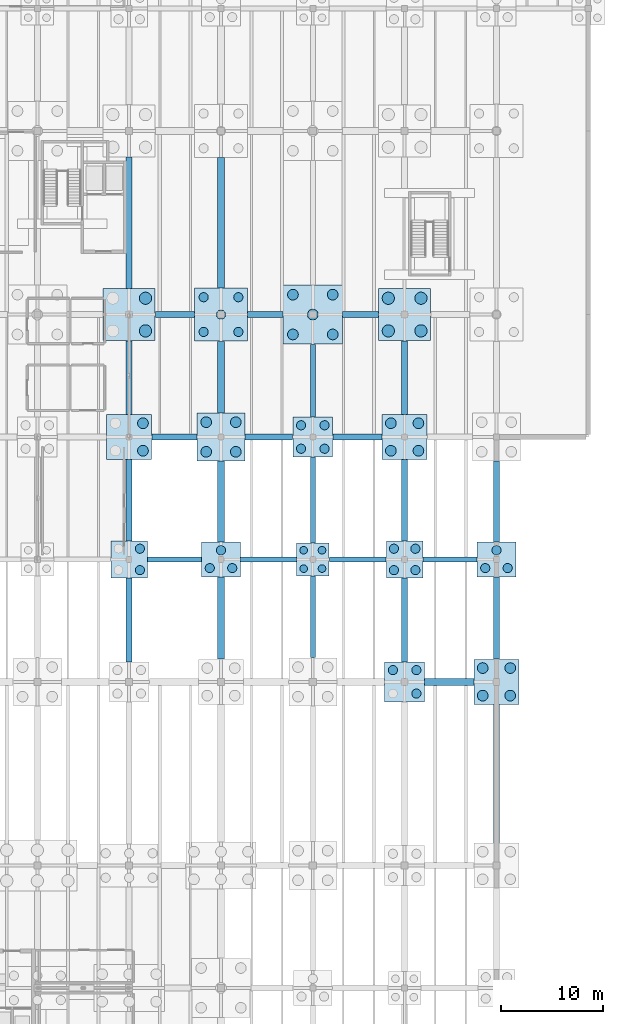
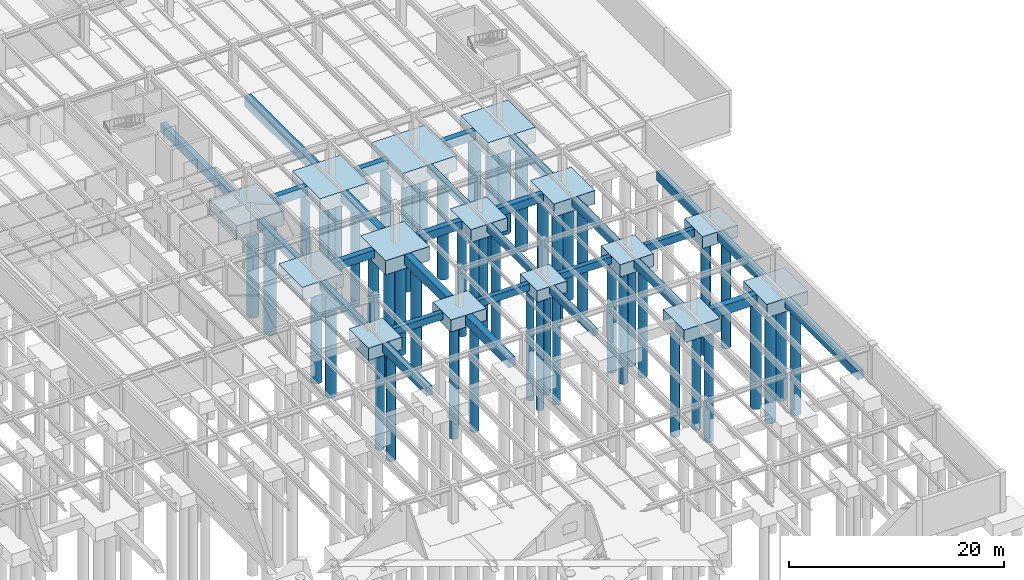
# One storey, part 11 of 40: 53 piles, 43 footings.
"""IFC4 building model written with IfcOpenShell, lengths in metres."""

import ifcopenshell
import ifcopenshell.guid

model = None  # the IFC model being written
_history = None  # IfcOwnerHistory: only IFC2X3 demands one
_inside = {}  # id of a spatial element -> (the spatial element, [elements in it])
_under = {}  # id of a project, library or spatial element -> (it, [spatial elements below it])
_declared = {}  # id of a project -> (the project, [libraries it declares])
_typed = {}  # id of a type object -> (the type object, [elements of that type])
_made_of = {}  # id of a material, layer set ... -> (it, [elements and type objects made of it])


def new_model(schema):
    """Start an empty IFC model of exactly this schema.

    Asked for "IFC4X3", IfcOpenShell would pick the latest addendum, in which some entities
    have other attributes; the version numbers below select the first issue.
    IFC2X3 requires an IfcOwnerHistory on every rooted entity: one is made here for all.
    """
    global model, _history
    if schema == "IFC4X3":
        model = ifcopenshell.file(schema_version=(4, 3, 0, 0))
    else:
        model = ifcopenshell.file(schema=schema)
    _inside.clear()
    _under.clear()
    _declared.clear()
    _typed.clear()
    _made_of.clear()
    _history = None
    if model.schema == "IFC2X3":
        org = make("IfcOrganization", Name="unknown")
        user = make(
            "IfcPersonAndOrganization",
            ThePerson=make("IfcPerson", FamilyName="unknown"),
            TheOrganization=org,
        )
        app = make(
            "IfcApplication",
            ApplicationDeveloper=org,
            Version="unknown",
            ApplicationFullName="unknown",
            ApplicationIdentifier="unknown",
        )
        _history = make(
            "IfcOwnerHistory",
            OwningUser=user,
            OwningApplication=app,
            ChangeAction="ADDED",
            CreationDate=0,
        )
    return model


def make(cls, **values):
    """One entity of the class cls with the attributes given. An attribute that is None is left unset."""
    return model.create_entity(
        cls, **{name: value for name, value in values.items() if value is not None}
    )


def rooted(cls, **values):
    """An entity with a GlobalId (a new one), such as an element, a storey or a relation."""
    return make(cls, GlobalId=ifcopenshell.guid.new(), OwnerHistory=_history, **values)


def si_unit(unit_type, name, prefix=None):
    """IfcSIUnit, for example si_unit("LENGTHUNIT", "METRE", prefix="MILLI")."""
    return make("IfcSIUnit", UnitType=unit_type, Prefix=prefix, Name=name)


def assignment(units):
    """IfcUnitAssignment: the units of a project."""
    return None if units is None else make("IfcUnitAssignment", Units=units)


def point(xyz):
    """IfcCartesianPoint."""
    return None if xyz is None else make("IfcCartesianPoint", Coordinates=xyz)


def direction(xyz):
    """IfcDirection."""
    return None if xyz is None else make("IfcDirection", DirectionRatios=xyz)


def frame(location, z_axis=None, x_axis=None):
    """IfcAxis2Placement3D, a coordinate frame: its origin and axes. An axis left out is left unset."""
    return make(
        "IfcAxis2Placement3D",
        Location=point(location),
        Axis=direction(z_axis),
        RefDirection=direction(x_axis),
    )


def frame_2d(location, x_axis=None):
    """IfcAxis2Placement2D, a coordinate frame in the plane: its origin and x axis."""
    return make(
        "IfcAxis2Placement2D", Location=point(location), RefDirection=direction(x_axis)
    )


def origin():
    """The frame at (0, 0, 0) with its axes left unset."""
    return frame((0.0, 0.0, 0.0))


def origin_2d():
    """The frame at (0, 0) in the plane with its x axis left unset."""
    return frame_2d((0.0, 0.0))


def place(relative_to, where):
    """IfcLocalPlacement: puts the frame where relative to a parent placement (None: the world)."""
    return make(
        "IfcLocalPlacement", PlacementRelTo=relative_to, RelativePlacement=where
    )


def context(
    kind, dimensions, precision=None, world=None, true_north=None, identifier=None
):
    """IfcGeometricRepresentationContext, for example the 3D "Model" context."""
    return make(
        "IfcGeometricRepresentationContext",
        ContextIdentifier=identifier,
        ContextType=kind,
        CoordinateSpaceDimension=dimensions,
        Precision=precision,
        WorldCoordinateSystem=world,
        TrueNorth=true_north,
    )


def subcontext(parent, identifier, kind, view, scale=None):
    """IfcGeometricRepresentationSubContext, for example "Body" below "Model"."""
    return make(
        "IfcGeometricRepresentationSubContext",
        ContextIdentifier=identifier,
        ContextType=kind,
        ParentContext=parent,
        TargetScale=scale,
        TargetView=view,
    )


def project(units=None, contexts=None):
    """IfcProject with its units and contexts."""
    return rooted(
        "IfcProject",
        Name="project",
        RepresentationContexts=contexts,
        UnitsInContext=assignment(units),
    )


def spatial(cls, under=None, at=None, **own):
    """A site, building, storey or space (cls), placed at a placement, below another one or the project."""
    s = rooted(cls, ObjectPlacement=at, **own)
    if under is not None:
        _under.setdefault(under.id(), (under, []))[1].append(s)
    return s


def polyline(points):
    """IfcPolyline through the points."""
    return make("IfcPolyline", Points=[point(p) for p in points])


def profile(cls, at=None, kind="AREA", **sizes):
    """A parametric profile (cls). Its sizes go by their IFC names, for example OverallWidth=200.0."""
    return make(cls, ProfileType=kind, Position=at, **sizes)


def rectangle(**sizes):
    """IfcRectangleProfileDef."""
    return profile("IfcRectangleProfileDef", **sizes)


def circle(**sizes):
    """IfcCircleProfileDef."""
    return profile("IfcCircleProfileDef", **sizes)


def outline(outer, holes=None, kind="AREA"):
    """IfcArbitraryClosedProfileDef: a profile drawn as a closed curve; with holes, ...WithVoids."""
    if holes is None:
        return make("IfcArbitraryClosedProfileDef", ProfileType=kind, OuterCurve=outer)
    return make(
        "IfcArbitraryProfileDefWithVoids",
        ProfileType=kind,
        OuterCurve=outer,
        InnerCurves=holes,
    )


def extrude(swept, where, along, depth):
    """IfcExtrudedAreaSolid: the profile swept, set in the frame where, extruded along a direction by depth."""
    return make(
        "IfcExtrudedAreaSolid",
        SweptArea=swept,
        Position=where,
        ExtrudedDirection=direction(along),
        Depth=depth,
    )


def shape(context_of_items, identifier, shape_type, items):
    """IfcShapeRepresentation: the items that make up one representation, for example the "Body"."""
    return make(
        "IfcShapeRepresentation",
        ContextOfItems=context_of_items,
        RepresentationIdentifier=identifier,
        RepresentationType=shape_type,
        Items=items,
    )


def material(Name=None, Category=None):
    """IfcMaterial."""
    return make("IfcMaterial", Name=Name, Category=Category)


def material_profile(
    of_material, cross_section, Name=None, Category=None, Priority=None
):
    """IfcMaterialProfile: a cross section and its material."""
    return make(
        "IfcMaterialProfile",
        Name=Name,
        Material=of_material,
        Profile=cross_section,
        Priority=Priority,
        Category=Category,
    )


def profile_set(profiles, Name=None, composite=None):
    """IfcMaterialProfileSet."""
    return make(
        "IfcMaterialProfileSet",
        Name=Name,
        MaterialProfiles=profiles,
        CompositeProfile=composite,
    )


def made_of(thing, what):
    """Note that an element or type object is made of a material, layer set ...; save() writes the relation."""
    if what is not None:
        _made_of.setdefault(what.id(), (what, []))[1].append(thing)
    return thing


def type_object(cls, material=None, **own):
    """A type object (cls), such as IfcWallType, which elements share."""
    return made_of(rooted(cls, **own), material)


def element(
    cls,
    number,
    at=None,
    inside=None,
    cuts=None,
    type_object=None,
    material=None,
    context=None,
    identifier="Body",
    shape_type=None,
    held_by="IfcProductDefinitionShape",
    body=None,
    shapes=None,
    **own,
):
    """One element of the class cls, such as IfcWall. Its Tag is "e" and its number.

    at: its placement. inside: the storey or other place that contains it. cuts: it is an
    opening in that element (IfcRelVoidsElement). A single representation is given by context,
    identifier, shape_type and body (its items); several are given by shapes. held_by: the class
    of the entity that holds the representations. save() writes the other relations.
    """
    e = rooted(cls, Tag="e%d" % number, ObjectPlacement=at, **own)
    if body is not None:
        shapes = [shape(context, identifier, shape_type, body)]
    if shapes is not None:
        e.Representation = make(held_by, Representations=shapes)
    if inside is not None:
        _inside.setdefault(inside.id(), (inside, []))[1].append(e)
    if cuts is not None:
        rooted(
            "IfcRelVoidsElement", RelatingBuildingElement=cuts, RelatedOpeningElement=e
        )
    if type_object is not None:
        _typed.setdefault(type_object.id(), (type_object, []))[1].append(e)
    return made_of(e, material)


def aggregate(whole, parts):
    """IfcRelAggregates: a whole, such as a stair, and the parts it consists of."""
    return rooted("IfcRelAggregates", RelatingObject=whole, RelatedObjects=parts)


def save(model, path):
    """Write the relations noted so far, then the file.

    IfcRelAggregates (storeys below a building ...), IfcRelContainedInSpatialStructure (elements
    in a storey), IfcRelDefinesByType, IfcRelAssociatesMaterial and IfcRelDeclares: one each for
    every whole, place, type object, material and project.
    """
    for whole, parts in _under.values():
        aggregate(whole, parts)
    for where, things in _inside.values():
        rooted(
            "IfcRelContainedInSpatialStructure",
            RelatedElements=things,
            RelatingStructure=where,
        )
    for kind, things in _typed.values():
        rooted("IfcRelDefinesByType", RelatedObjects=things, RelatingType=kind)
    for what, things in _made_of.values():
        rooted("IfcRelAssociatesMaterial", RelatedObjects=things, RelatingMaterial=what)
    for by, libraries in _declared.values():
        rooted("IfcRelDeclares", RelatingContext=by, RelatedDefinitions=libraries)
    model.write(path)


model = new_model("IFC4")

# Units and contexts
model_context = context("Model", 3, precision=1e-05, world=origin(), true_north=direction((0.0, 1.0)))
body_context = subcontext(model_context, "Body", "Model", "MODEL_VIEW")
ifc_project = project(units=[si_unit("LENGTHUNIT", "METRE"), si_unit("AREAUNIT", "SQUARE_METRE"), si_unit("VOLUMEUNIT", "CUBIC_METRE"), si_unit("PLANEANGLEUNIT", "RADIAN"), si_unit("MASSUNIT", "GRAM", prefix="KILO")], contexts=[model_context])

# Site, building, storey
site_placement = place(None, origin())
site = spatial("IfcSite", under=ifc_project, at=site_placement, CompositionType="ELEMENT")
building_placement = place(site_placement, origin())
building = spatial("IfcBuilding", under=site, at=building_placement, Name="Montelvaro Courts of Justice", CompositionType="ELEMENT")
storey_placement = place(building_placement, frame((0.0, 0.0, -4.5)))
storey = spatial("IfcBuildingStorey", under=building, at=storey_placement, Name="B01", CompositionType="ELEMENT", Elevation=-4.5)

# Piles
ifc_material = material(Name="Concrete C35/45", Category="concrete")
ifc_material_profile_1 = material_profile(ifc_material, circle(Radius=0.52490234375, at=origin_2d()), Name="BORED PILE D1050")
ifc_profile_set_1 = profile_set([ifc_material_profile_1], Name="Concrete C35/45")
pile_type_1 = type_object("IfcPileType", Name="BoredPile_1050", PredefinedType="BORED", material=ifc_profile_set_1)
for number, where, z_axis, x_axis, name in (
    (1, (127.35009765625, 64.64990234375, -1.39990234375), (0.0, 0.0, -1.0), (1.0, 0.0, 0.0), "Bored Pile BP-03 15/F-2"),
    (2, (127.35009765625, 67.35009765625, -1.39990234375), (0.0, 0.0, -1.0), (1.0, 0.0, 0.0), "Bored Pile BP-03 15/F-4"),
):
    element("IfcPile", number, at=place(storey_placement, frame(where, z_axis=z_axis, x_axis=x_axis)), inside=storey, type_object=pile_type_1, Name=name, PredefinedType="BORED", context=body_context, shape_type="SweptSolid", body=[
        extrude(circle(Radius=0.52490234375, at=origin_2d()), origin(), (0.0, 0.0, 1.0), 12.60009765625),
    ])
for number, where, z_axis, x_axis, name in (
    (3, (133.550048828125, 64.550048828125, -1.5), (0.0, 0.0, -1.0), (1.0, 0.0, 0.0), "Bored Pile BP-03 16/F-1"),
    (4, (136.449951171875, 64.550048828125, -1.5), (0.0, 0.0, -1.0), (1.0, 0.0, 0.0), "Bored Pile BP-03 16/F-2"),
    (5, (133.550048828125, 67.449951171875, -1.5), (0.0, 0.0, -1.0), (1.0, 0.0, 0.0), "Bored Pile BP-03 16/F-3"),
    (6, (136.449951171875, 67.449951171875, -1.5), (0.0, 0.0, -1.0), (1.0, 0.0, 0.0), "Bored Pile BP-03 16/F-4"),
):
    element("IfcPile", number, at=place(storey_placement, frame(where, z_axis=z_axis, x_axis=x_axis)), inside=storey, type_object=pile_type_1, Name=name, PredefinedType="BORED", context=body_context, shape_type="SweptSolid", body=[
        extrude(circle(Radius=0.52490234375, at=origin_2d()), origin(), (0.0, 0.0, 1.0), 12.5),
    ])
for number, where, z_axis, x_axis, name in (
    (7, (142.050048828125, 76.050048828125, -1.60009765625), (0.0, 0.0, -1.0), (1.0, 0.0, 0.0), "Bored Pile BP-03 17/G-1"),
    (8, (145.949951171875, 76.050048828125, -1.60009765625), (0.0, 0.0, -1.0), (1.0, 0.0, 0.0), "Bored Pile BP-03 17/G-2"),
    (9, (144.0, 78.0, -1.60009765625), (0.0, 0.0, -1.0), (1.0, 0.0, 0.0), "Bored Pile BP-03 17/G-3"),
    (10, (142.050048828125, 79.949951171875, -1.60009765625), (0.0, 0.0, -1.0), (1.0, 0.0, 0.0), "Bored Pile BP-03 17/G-4"),
    (11, (145.949951171875, 79.949951171875, -1.60009765625), (0.0, 0.0, -1.0), (1.0, 0.0, 0.0), "Bored Pile BP-03 17/G-5"),
):
    element("IfcPile", number, at=place(storey_placement, frame(where, z_axis=z_axis, x_axis=x_axis)), inside=storey, type_object=pile_type_1, Name=name, PredefinedType="BORED", context=body_context, shape_type="SweptSolid", body=[
        extrude(circle(Radius=0.52490234375, at=origin_2d()), origin(), (0.0, 0.0, 1.0), 12.39990234375),
    ])
for number, where, z_axis, x_axis, name in (
    (12, (151.64990234375, 64.64990234375, -1.39990234375), (0.0, 0.0, -1.0), (1.0, 0.0, 0.0), "Bored Pile BP-03 18/F-1"),
    (13, (154.35009765625, 64.64990234375, -1.39990234375), (0.0, 0.0, -1.0), (1.0, 0.0, 0.0), "Bored Pile BP-03 18/F-2"),
    (14, (151.64990234375, 67.35009765625, -1.39990234375), (0.0, 0.0, -1.0), (1.0, 0.0, 0.0), "Bored Pile BP-03 18/F-3"),
    (15, (154.35009765625, 67.35009765625, -1.39990234375), (0.0, 0.0, -1.0), (1.0, 0.0, 0.0), "Bored Pile BP-03 18/F-4"),
    (16, (160.64990234375, 40.64990234375, -1.39990234375), (0.0, 0.0, -1.0), (1.0, 0.0, 0.0), "Bored Pile BP-03 19/D-1"),
    (17, (163.35009765625, 40.64990234375, -1.39990234375), (0.0, 0.0, -1.0), (1.0, 0.0, 0.0), "Bored Pile BP-03 19/D-2"),
    (18, (160.64990234375, 43.35009765625, -1.39990234375), (0.0, 0.0, -1.0), (1.0, 0.0, 0.0), "Bored Pile BP-03 19/D-3"),
    (19, (163.35009765625, 43.35009765625, -1.39990234375), (0.0, 0.0, -1.0), (1.0, 0.0, 0.0), "Bored Pile BP-03 19/D-4"),
):
    element("IfcPile", number, at=place(storey_placement, frame(where, z_axis=z_axis, x_axis=x_axis)), inside=storey, type_object=pile_type_1, Name=name, PredefinedType="BORED", context=body_context, shape_type="SweptSolid", body=[
        extrude(circle(Radius=0.52490234375, at=origin_2d()), origin(), (0.0, 0.0, 1.0), 12.60009765625),
    ])
ifc_material_profile_2 = material_profile(ifc_material, circle(Radius=0.60009765625, at=origin_2d()), Name="BORED PILE D1200")
ifc_profile_set_2 = profile_set([ifc_material_profile_2], Name="Concrete C35/45")
pile_type_2 = type_object("IfcPileType", Name="BoredPile_1200", PredefinedType="BORED", material=ifc_profile_set_2)
for number, where, z_axis, x_axis, name in (
    (20, (127.60009765625, 76.39990234375, -1.550048828125), (0.0, 0.0, -1.0), (1.0, 0.0, 0.0), "Bored Pile BP-04 15/G-2"),
    (21, (127.60009765625, 79.60009765625, -1.550048828125), (0.0, 0.0, -1.0), (1.0, 0.0, 0.0), "Bored Pile BP-04 15/G-4"),
    (22, (151.39990234375, 76.39990234375, -1.550048828125), (0.0, 0.0, -1.0), (1.0, 0.0, 0.0), "Bored Pile BP-04 18/G-1"),
    (23, (154.60009765625, 76.39990234375, -1.550048828125), (0.0, 0.0, -1.0), (1.0, 0.0, 0.0), "Bored Pile BP-04 18/G-2"),
    (24, (151.39990234375, 79.60009765625, -1.550048828125), (0.0, 0.0, -1.0), (1.0, 0.0, 0.0), "Bored Pile BP-04 18/G-3"),
    (25, (154.60009765625, 79.60009765625, -1.550048828125), (0.0, 0.0, -1.0), (1.0, 0.0, 0.0), "Bored Pile BP-04 18/G-4"),
):
    element("IfcPile", number, at=place(storey_placement, frame(where, z_axis=z_axis, x_axis=x_axis)), inside=storey, type_object=pile_type_2, Name=name, PredefinedType="BORED", context=body_context, shape_type="SweptSolid", body=[
        extrude(circle(Radius=0.60009765625, at=origin_2d()), origin(), (0.0, 0.0, 1.0), 12.449951171875),
    ])
ifc_material_profile_3 = material_profile(ifc_material, circle(Radius=0.375, at=origin_2d()), Name="BORED PILE D750")
ifc_profile_set_3 = profile_set([ifc_material_profile_3], Name="Concrete C35/45")
pile_type_3 = type_object("IfcPileType", Name="BoredPile_750", PredefinedType="BORED", material=ifc_profile_set_3)
for number, where, z_axis, x_axis, name in (
    (26, (143.10009765625, 53.10009765625, -1.199951171875), (0.0, 0.0, -1.0), (1.0, 0.0, 0.0), "Bored Pile BP-01 17/E-1"),
    (27, (144.89990234375, 53.10009765625, -1.199951171875), (0.0, 0.0, -1.0), (1.0, 0.0, 0.0), "Bored Pile BP-01 17/E-2"),
    (28, (143.10009765625, 54.89990234375, -1.199951171875), (0.0, 0.0, -1.0), (1.0, 0.0, 0.0), "Bored Pile BP-01 17/E-3"),
    (29, (144.89990234375, 54.89990234375, -1.199951171875), (0.0, 0.0, -1.0), (1.0, 0.0, 0.0), "Bored Pile BP-01 17/E-4"),
):
    element("IfcPile", number, at=place(storey_placement, frame(where, z_axis=z_axis, x_axis=x_axis)), inside=storey, type_object=pile_type_3, Name=name, PredefinedType="BORED", context=body_context, shape_type="SweptSolid", body=[
        extrude(circle(Radius=0.375, at=origin_2d()), origin(), (0.0, 0.0, 1.0), 12.800048828125),
    ])
ifc_material_profile_4 = material_profile(ifc_material, circle(Radius=0.449951171875, at=origin_2d()), Name="BORED PILE D900")
ifc_profile_set_4 = profile_set([ifc_material_profile_4], Name="Concrete C35/45")
pile_type_4 = type_object("IfcPileType", Name="BoredPile_900", PredefinedType="BORED", material=ifc_profile_set_4)
for number, where, z_axis, x_axis, name in (
    (30, (127.050048828125, 52.949951171875, -1.300048828125), (0.0, 0.0, -1.0), (1.0, 0.0, 0.0), "Bored Pile BP-02 15/E-2"),
    (31, (127.050048828125, 55.050048828125, -1.300048828125), (0.0, 0.0, -1.0), (1.0, 0.0, 0.0), "Bored Pile BP-02 15/E-4"),
):
    element("IfcPile", number, at=place(storey_placement, frame(where, z_axis=z_axis, x_axis=x_axis)), inside=storey, type_object=pile_type_4, Name=name, PredefinedType="BORED", context=body_context, shape_type="SweptSolid", body=[
        extrude(circle(Radius=0.449951171875, at=origin_2d()), origin(), (0.0, 0.0, 1.0), 12.699951171875),
    ])
for number, where, z_axis, x_axis, name in (
    (32, (133.89990234375, 53.14990234375, -1.25), (0.0, 0.0, -1.0), (1.0, 0.0, 0.0), "Bored Pile BP-02 16/E-1"),
    (33, (136.10009765625, 53.14990234375, -1.25), (0.0, 0.0, -1.0), (1.0, 0.0, 0.0), "Bored Pile BP-02 16/E-2"),
    (34, (135.0, 54.89990234375, -1.25), (0.0, 0.0, -1.0), (1.0, 0.0, 0.0), "Bored Pile BP-02 16/E-3"),
):
    element("IfcPile", number, at=place(storey_placement, frame(where, z_axis=z_axis, x_axis=x_axis)), inside=storey, type_object=pile_type_4, Name=name, PredefinedType="BORED", context=body_context, shape_type="SweptSolid", body=[
        extrude(circle(Radius=0.449951171875, at=origin_2d()), origin(), (0.0, 0.0, 1.0), 12.75),
    ])
for number, where, z_axis, x_axis, name in (
    (35, (133.300048828125, 76.300048828125, -1.5), (0.0, 0.0, -1.0), (1.0, 0.0, 0.0), "Bored Pile BP-02 16/G-1"),
    (36, (136.699951171875, 76.300048828125, -1.5), (0.0, 0.0, -1.0), (1.0, 0.0, 0.0), "Bored Pile BP-02 16/G-2"),
    (37, (135.0, 78.0, -1.5), (0.0, 0.0, -1.0), (1.0, 0.0, 0.0), "Bored Pile BP-02 16/G-3"),
    (38, (133.300048828125, 79.699951171875, -1.5), (0.0, 0.0, -1.0), (1.0, 0.0, 0.0), "Bored Pile BP-02 16/G-4"),
    (39, (136.699951171875, 79.699951171875, -1.5), (0.0, 0.0, -1.0), (1.0, 0.0, 0.0), "Bored Pile BP-02 16/G-5"),
):
    element("IfcPile", number, at=place(storey_placement, frame(where, z_axis=z_axis, x_axis=x_axis)), inside=storey, type_object=pile_type_4, Name=name, PredefinedType="BORED", context=body_context, shape_type="SweptSolid", body=[
        extrude(circle(Radius=0.449951171875, at=origin_2d()), origin(), (0.0, 0.0, 1.0), 12.5),
    ])
for number, where, z_axis, x_axis, name in (
    (40, (142.85009765625, 64.85009765625, -1.35009765625), (0.0, 0.0, -1.0), (1.0, 0.0, 0.0), "Bored Pile BP-02 17/F-1"),
    (41, (145.14990234375, 64.85009765625, -1.35009765625), (0.0, 0.0, -1.0), (1.0, 0.0, 0.0), "Bored Pile BP-02 17/F-2"),
    (42, (142.85009765625, 67.14990234375, -1.35009765625), (0.0, 0.0, -1.0), (1.0, 0.0, 0.0), "Bored Pile BP-02 17/F-3"),
    (43, (145.14990234375, 67.14990234375, -1.35009765625), (0.0, 0.0, -1.0), (1.0, 0.0, 0.0), "Bored Pile BP-02 17/F-4"),
    (44, (154.14990234375, 40.85009765625, -1.35009765625), (0.0, 0.0, -1.0), (1.0, 0.0, 0.0), "Bored Pile BP-02 18/D-2"),
    (45, (151.85009765625, 43.14990234375, -1.35009765625), (0.0, 0.0, -1.0), (1.0, 0.0, 0.0), "Bored Pile BP-02 18/D-3"),
    (46, (154.14990234375, 43.14990234375, -1.35009765625), (0.0, 0.0, -1.0), (1.0, 0.0, 0.0), "Bored Pile BP-02 18/D-4"),
):
    element("IfcPile", number, at=place(storey_placement, frame(where, z_axis=z_axis, x_axis=x_axis)), inside=storey, type_object=pile_type_4, Name=name, PredefinedType="BORED", context=body_context, shape_type="SweptSolid", body=[
        extrude(circle(Radius=0.449951171875, at=origin_2d()), origin(), (0.0, 0.0, 1.0), 12.64990234375),
    ])
for number, where, z_axis, x_axis, name in (
    (47, (151.949951171875, 52.949951171875, -1.300048828125), (0.0, 0.0, -1.0), (1.0, 0.0, 0.0), "Bored Pile BP-02 18/E-1"),
    (48, (154.050048828125, 52.949951171875, -1.300048828125), (0.0, 0.0, -1.0), (1.0, 0.0, 0.0), "Bored Pile BP-02 18/E-2"),
    (49, (151.949951171875, 55.050048828125, -1.300048828125), (0.0, 0.0, -1.0), (1.0, 0.0, 0.0), "Bored Pile BP-02 18/E-3"),
    (50, (154.050048828125, 55.050048828125, -1.300048828125), (0.0, 0.0, -1.0), (1.0, 0.0, 0.0), "Bored Pile BP-02 18/E-4"),
):
    element("IfcPile", number, at=place(storey_placement, frame(where, z_axis=z_axis, x_axis=x_axis)), inside=storey, type_object=pile_type_4, Name=name, PredefinedType="BORED", context=body_context, shape_type="SweptSolid", body=[
        extrude(circle(Radius=0.449951171875, at=origin_2d()), origin(), (0.0, 0.0, 1.0), 12.699951171875),
    ])
for number, where, z_axis, x_axis, name in (
    (51, (160.89990234375, 53.14990234375, -1.25), (0.0, 0.0, -1.0), (1.0, 0.0, 0.0), "Bored Pile BP-02 19/E-1"),
    (52, (163.10009765625, 53.14990234375, -1.25), (0.0, 0.0, -1.0), (1.0, 0.0, 0.0), "Bored Pile BP-02 19/E-2"),
    (53, (162.0, 54.89990234375, -1.25), (0.0, 0.0, -1.0), (1.0, 0.0, 0.0), "Bored Pile BP-02 19/E-3"),
):
    element("IfcPile", number, at=place(storey_placement, frame(where, z_axis=z_axis, x_axis=x_axis)), inside=storey, type_object=pile_type_4, Name=name, PredefinedType="BORED", context=body_context, shape_type="SweptSolid", body=[
        extrude(circle(Radius=0.449951171875, at=origin_2d()), origin(), (0.0, 0.0, 1.0), 12.75),
    ])

# Footings
footing_type_1 = type_object("IfcFootingType", Name="GroundBeam_500x800", PredefinedType="FOOTING_BEAM", material=ifc_material)
footing_1_placement = place(storey_placement, frame((0.0, 0.0, -0.800048828125)))
element("IfcFooting", 54, at=footing_1_placement, inside=storey, type_object=footing_type_1, Name="Foundation Ground Beam GB-01", PredefinedType="FOOTING_BEAM", context=body_context, shape_type="SweptSolid", body=[
    extrude(outline(polyline([(127.820068359375, 53.75), (133.080078125, 53.75), (133.080078125, 54.25), (127.820068359375, 54.25), (127.820068359375, 53.75)])), origin(), (0.0, 0.0, 1.0), 0.800048828125),
])
footing_2_placement = place(storey_placement, frame((0.0, 0.0, -0.800048828125)))
element("IfcFooting", 55, at=footing_2_placement, inside=storey, type_object=footing_type_1, Name="Foundation Ground Beam GB-01", PredefinedType="FOOTING_BEAM", context=body_context, shape_type="SweptSolid", body=[
    extrude(outline(polyline([(136.919921875, 53.75), (142.3798828125, 53.75), (142.3798828125, 54.25), (136.919921875, 54.25), (136.919921875, 53.75)])), origin(), (0.0, 0.0, 1.0), 0.800048828125),
])
footing_3_placement = place(storey_placement, frame((0.0, 0.0, -0.800048828125)))
element("IfcFooting", 56, at=footing_3_placement, inside=storey, type_object=footing_type_1, Name="Foundation Ground Beam GB-01", PredefinedType="FOOTING_BEAM", context=body_context, shape_type="SweptSolid", body=[
    extrude(outline(polyline([(145.6201171875, 53.75), (151.179931640625, 53.75), (151.179931640625, 54.25), (145.6201171875, 54.25), (145.6201171875, 53.75)])), origin(), (0.0, 0.0, 1.0), 0.800048828125),
])
footing_4_placement = place(storey_placement, frame((0.0, 0.0, -0.800048828125)))
element("IfcFooting", 57, at=footing_4_placement, inside=storey, type_object=footing_type_1, Name="Foundation Ground Beam GB-01", PredefinedType="FOOTING_BEAM", context=body_context, shape_type="SweptSolid", body=[
    extrude(outline(polyline([(154.820068359375, 53.75), (160.080078125, 53.75), (160.080078125, 54.25), (154.820068359375, 54.25), (154.820068359375, 53.75)])), origin(), (0.0, 0.0, 1.0), 0.800048828125),
])
footing_5_placement = place(storey_placement, frame((0.0, 0.0, -0.800048828125)))
element("IfcFooting", 58, at=footing_5_placement, inside=storey, type_object=footing_type_1, Name="Foundation Ground Beam GB-01", PredefinedType="FOOTING_BEAM", context=body_context, shape_type="SweptSolid", body=[
    extrude(outline(polyline([(143.75, 44.3701171875), (144.25, 44.3701171875), (144.25, 52.3798828125), (143.75, 52.3798828125), (143.75, 44.3701171875)])), origin(), (0.0, 0.0, 1.0), 0.800048828125),
])
footing_6_placement = place(storey_placement, frame((0.0, 0.0, -0.800048828125)))
element("IfcFooting", 59, at=footing_6_placement, inside=storey, type_object=footing_type_1, Name="Foundation Ground Beam GB-01", PredefinedType="FOOTING_BEAM", context=body_context, shape_type="SweptSolid", body=[
    extrude(outline(polyline([(143.75, 55.6201171875), (144.25, 55.6201171875), (144.25, 64.030029296875), (143.75, 64.030029296875), (143.75, 55.6201171875)])), origin(), (0.0, 0.0, 1.0), 0.800048828125),
])
footing_7_placement = place(storey_placement, frame((0.0, 0.0, -0.800048828125)))
element("IfcFooting", 60, at=footing_7_placement, inside=storey, type_object=footing_type_1, Name="Foundation Ground Beam GB-01", PredefinedType="FOOTING_BEAM", context=body_context, shape_type="SweptSolid", body=[
    extrude(outline(polyline([(143.75, 67.969970703125), (144.25, 67.969970703125), (144.25, 75.080078125), (143.75, 75.080078125), (143.75, 67.969970703125)])), origin(), (0.0, 0.0, 1.0), 0.800048828125),
])
footing_type_2 = type_object("IfcFootingType", Name="GroundBeam_600x1000", PredefinedType="FOOTING_BEAM", material=ifc_material)
footing_8_placement = place(storey_placement, frame((0.0, 0.0, -1.0)))
element("IfcFooting", 61, at=footing_8_placement, inside=storey, type_object=footing_type_2, Name="Foundation Ground Beam GB-03", PredefinedType="FOOTING_BEAM", context=body_context, shape_type="SweptSolid", body=[
    extrude(outline(polyline([(128.570068359375, 77.699951171875), (132.3798828125, 77.699951171875), (132.3798828125, 78.300048828125), (128.570068359375, 78.300048828125), (128.570068359375, 77.699951171875)])), origin(), (0.0, 0.0, 1.0), 1.0),
])
footing_9_placement = place(storey_placement, frame((0.0, 0.0, -1.0)))
element("IfcFooting", 62, at=footing_9_placement, inside=storey, type_object=footing_type_2, Name="Foundation Ground Beam GB-03", PredefinedType="FOOTING_BEAM", context=body_context, shape_type="SweptSolid", body=[
    extrude(outline(polyline([(137.6201171875, 77.699951171875), (141.080078125, 77.699951171875), (141.080078125, 78.300048828125), (137.6201171875, 78.300048828125), (137.6201171875, 77.699951171875)])), origin(), (0.0, 0.0, 1.0), 1.0),
])
footing_10_placement = place(storey_placement, frame((0.0, 0.0, -1.0)))
element("IfcFooting", 63, at=footing_10_placement, inside=storey, type_object=footing_type_2, Name="Foundation Ground Beam GB-03", PredefinedType="FOOTING_BEAM", context=body_context, shape_type="SweptSolid", body=[
    extrude(outline(polyline([(146.919921875, 77.699951171875), (150.429931640625, 77.699951171875), (150.429931640625, 78.300048828125), (146.919921875, 78.300048828125), (146.919921875, 77.699951171875)])), origin(), (0.0, 0.0, 1.0), 1.0),
])
footing_11_placement = place(storey_placement, frame((0.0, 0.0, -1.0)))
element("IfcFooting", 64, at=footing_11_placement, inside=storey, type_object=footing_type_2, Name="Foundation Ground Beam GB-03", PredefinedType="FOOTING_BEAM", context=body_context, shape_type="SweptSolid", body=[
    extrude(outline(polyline([(125.699951171875, 43.969970703125), (126.300048828125, 43.969970703125), (126.300048828125, 52.179931640625), (125.699951171875, 52.179931640625), (125.699951171875, 43.969970703125)])), origin(), (0.0, 0.0, 1.0), 1.0),
])
footing_12_placement = place(storey_placement, frame((0.0, 0.0, -1.0)))
element("IfcFooting", 65, at=footing_12_placement, inside=storey, type_object=footing_type_2, Name="Foundation Ground Beam GB-03", PredefinedType="FOOTING_BEAM", context=body_context, shape_type="SweptSolid", body=[
    extrude(outline(polyline([(125.699951171875, 55.820068359375), (126.300048828125, 55.820068359375), (126.300048828125, 63.780029296875), (125.699951171875, 63.780029296875), (125.699951171875, 55.820068359375)])), origin(), (0.0, 0.0, 1.0), 1.0),
])
footing_13_placement = place(storey_placement, frame((0.0, 0.0, -1.0)))
element("IfcFooting", 66, at=footing_13_placement, inside=storey, type_object=footing_type_2, Name="Foundation Ground Beam GB-03", PredefinedType="FOOTING_BEAM", context=body_context, shape_type="SweptSolid", body=[
    extrude(outline(polyline([(125.699951171875, 68.219970703125), (126.300048828125, 68.219970703125), (126.300048828125, 75.429931640625), (125.699951171875, 75.429931640625), (125.699951171875, 68.219970703125)])), origin(), (0.0, 0.0, 1.0), 1.0),
])
footing_14_placement = place(storey_placement, frame((0.0, 0.0, -1.0)))
element("IfcFooting", 67, at=footing_14_placement, inside=storey, type_object=footing_type_2, Name="Foundation Ground Beam GB-03", PredefinedType="FOOTING_BEAM", context=body_context, shape_type="SweptSolid", body=[
    extrude(outline(polyline([(125.699951171875, 80.570068359375), (126.300048828125, 80.570068359375), (126.300048828125, 93.429931640625), (125.699951171875, 93.429931640625), (125.699951171875, 80.570068359375)])), origin(), (0.0, 0.0, 1.0), 1.0),
])
footing_15_placement = place(storey_placement, frame((0.0, 0.0, -1.0)))
element("IfcFooting", 68, at=footing_15_placement, inside=storey, type_object=footing_type_2, Name="Foundation Ground Beam GB-03", PredefinedType="FOOTING_BEAM", context=body_context, shape_type="SweptSolid", body=[
    extrude(outline(polyline([(161.699951171875, 26.219970703125), (162.300048828125, 26.219970703125), (162.300048828125, 39.780029296875), (161.699951171875, 39.780029296875), (161.699951171875, 26.219970703125)])), origin(), (0.0, 0.0, 1.0), 1.0),
])
footing_16_placement = place(storey_placement, frame((0.0, 0.0, -1.0)))
element("IfcFooting", 69, at=footing_16_placement, inside=storey, type_object=footing_type_2, Name="Foundation Ground Beam GB-03", PredefinedType="FOOTING_BEAM", context=body_context, shape_type="SweptSolid", body=[
    extrude(outline(polyline([(161.699951171875, 44.219970703125), (162.300048828125, 44.219970703125), (162.300048828125, 52.280029296875), (161.699951171875, 52.280029296875), (161.699951171875, 44.219970703125)])), origin(), (0.0, 0.0, 1.0), 1.0),
])
footing_17_placement = place(storey_placement, frame((0.0, 0.0, -1.0)))
element("IfcFooting", 70, at=footing_17_placement, inside=storey, type_object=footing_type_2, Name="Foundation Ground Beam GB-03", PredefinedType="FOOTING_BEAM", context=body_context, shape_type="SweptSolid", body=[
    extrude(outline(polyline([(161.699951171875, 55.719970703125), (162.300048828125, 55.719970703125), (162.300048828125, 63.6298828125), (161.699951171875, 63.6298828125), (161.699951171875, 55.719970703125)])), origin(), (0.0, 0.0, 1.0), 1.0),
])
footing_type_3 = type_object("IfcFootingType", Name="GroundBeam_600x900", PredefinedType="FOOTING_BEAM", material=ifc_material)
footing_18_placement = place(storey_placement, frame((0.0, 0.0, -0.89990234375)))
element("IfcFooting", 71, at=footing_18_placement, inside=storey, type_object=footing_type_3, Name="Foundation Ground Beam GB-02", PredefinedType="FOOTING_BEAM", context=body_context, shape_type="SweptSolid", body=[
    extrude(outline(polyline([(128.219970703125, 65.699951171875), (132.6298828125, 65.699951171875), (132.6298828125, 66.300048828125), (128.219970703125, 66.300048828125), (128.219970703125, 65.699951171875)])), origin(), (0.0, 0.0, 1.0), 0.89990234375),
])
footing_19_placement = place(storey_placement, frame((0.0, 0.0, -0.89990234375)))
element("IfcFooting", 72, at=footing_19_placement, inside=storey, type_object=footing_type_3, Name="Foundation Ground Beam GB-02", PredefinedType="FOOTING_BEAM", context=body_context, shape_type="SweptSolid", body=[
    extrude(outline(polyline([(137.3701171875, 65.699951171875), (142.030029296875, 65.699951171875), (142.030029296875, 66.300048828125), (137.3701171875, 66.300048828125), (137.3701171875, 65.699951171875)])), origin(), (0.0, 0.0, 1.0), 0.89990234375),
])
footing_20_placement = place(storey_placement, frame((0.0, 0.0, -0.89990234375)))
element("IfcFooting", 73, at=footing_20_placement, inside=storey, type_object=footing_type_3, Name="Foundation Ground Beam GB-02", PredefinedType="FOOTING_BEAM", context=body_context, shape_type="SweptSolid", body=[
    extrude(outline(polyline([(145.969970703125, 65.699951171875), (150.780029296875, 65.699951171875), (150.780029296875, 66.300048828125), (145.969970703125, 66.300048828125), (145.969970703125, 65.699951171875)])), origin(), (0.0, 0.0, 1.0), 0.89990234375),
])
footing_21_placement = place(storey_placement, frame((0.0, 0.0, -0.89990234375)))
element("IfcFooting", 74, at=footing_21_placement, inside=storey, type_object=footing_type_3, Name="Foundation Ground Beam GB-02", PredefinedType="FOOTING_BEAM", context=body_context, shape_type="SweptSolid", body=[
    extrude(outline(polyline([(152.699951171875, 43.969970703125), (153.300048828125, 43.969970703125), (153.300048828125, 52.179931640625), (152.699951171875, 52.179931640625), (152.699951171875, 43.969970703125)])), origin(), (0.0, 0.0, 1.0), 0.89990234375),
])
footing_22_placement = place(storey_placement, frame((0.0, 0.0, -0.89990234375)))
element("IfcFooting", 75, at=footing_22_placement, inside=storey, type_object=footing_type_3, Name="Foundation Ground Beam GB-02", PredefinedType="FOOTING_BEAM", context=body_context, shape_type="SweptSolid", body=[
    extrude(outline(polyline([(152.699951171875, 55.820068359375), (153.300048828125, 55.820068359375), (153.300048828125, 63.780029296875), (152.699951171875, 63.780029296875), (152.699951171875, 55.820068359375)])), origin(), (0.0, 0.0, 1.0), 0.89990234375),
])
footing_23_placement = place(storey_placement, frame((0.0, 0.0, -0.89990234375)))
element("IfcFooting", 76, at=footing_23_placement, inside=storey, type_object=footing_type_3, Name="Foundation Ground Beam GB-02", PredefinedType="FOOTING_BEAM", context=body_context, shape_type="SweptSolid", body=[
    extrude(outline(polyline([(152.699951171875, 68.219970703125), (153.300048828125, 68.219970703125), (153.300048828125, 75.429931640625), (152.699951171875, 75.429931640625), (152.699951171875, 68.219970703125)])), origin(), (0.0, 0.0, 1.0), 0.89990234375),
])
footing_type_4 = type_object("IfcFootingType", Name="GroundBeam_700x1100", PredefinedType="FOOTING_BEAM", material=ifc_material)
footing_24_placement = place(storey_placement, frame((0.0, 0.0, -1.10009765625)))
element("IfcFooting", 77, at=footing_24_placement, inside=storey, type_object=footing_type_4, Name="Foundation Ground Beam GB-04", PredefinedType="FOOTING_BEAM", context=body_context, shape_type="SweptSolid", body=[
    extrude(outline(polyline([(154.969970703125, 41.64990234375), (159.780029296875, 41.64990234375), (159.780029296875, 42.35009765625), (154.969970703125, 42.35009765625), (154.969970703125, 41.64990234375)])), origin(), (0.0, 0.0, 1.0), 1.10009765625),
])
footing_25_placement = place(storey_placement, frame((0.0, 0.0, -1.10009765625)))
element("IfcFooting", 78, at=footing_25_placement, inside=storey, type_object=footing_type_4, Name="Foundation Ground Beam GB-04", PredefinedType="FOOTING_BEAM", context=body_context, shape_type="SweptSolid", body=[
    extrude(outline(polyline([(134.64990234375, 44.219970703125), (135.35009765625, 44.219970703125), (135.35009765625, 52.280029296875), (134.64990234375, 52.280029296875), (134.64990234375, 44.219970703125)])), origin(), (0.0, 0.0, 1.0), 1.10009765625),
])
footing_26_placement = place(storey_placement, frame((0.0, 0.0, -1.10009765625)))
element("IfcFooting", 79, at=footing_26_placement, inside=storey, type_object=footing_type_4, Name="Foundation Ground Beam GB-04", PredefinedType="FOOTING_BEAM", context=body_context, shape_type="SweptSolid", body=[
    extrude(outline(polyline([(134.64990234375, 55.719970703125), (135.35009765625, 55.719970703125), (135.35009765625, 63.6298828125), (134.64990234375, 63.6298828125), (134.64990234375, 55.719970703125)])), origin(), (0.0, 0.0, 1.0), 1.10009765625),
])
footing_27_placement = place(storey_placement, frame((0.0, 0.0, -1.10009765625)))
element("IfcFooting", 80, at=footing_27_placement, inside=storey, type_object=footing_type_4, Name="Foundation Ground Beam GB-04", PredefinedType="FOOTING_BEAM", context=body_context, shape_type="SweptSolid", body=[
    extrude(outline(polyline([(134.64990234375, 68.3701171875), (135.35009765625, 68.3701171875), (135.35009765625, 75.3798828125), (134.64990234375, 75.3798828125), (134.64990234375, 68.3701171875)])), origin(), (0.0, 0.0, 1.0), 1.10009765625),
])
footing_28_placement = place(storey_placement, frame((0.0, 0.0, -1.10009765625)))
element("IfcFooting", 81, at=footing_28_placement, inside=storey, type_object=footing_type_4, Name="Foundation Ground Beam GB-04", PredefinedType="FOOTING_BEAM", context=body_context, shape_type="SweptSolid", body=[
    extrude(outline(polyline([(134.64990234375, 80.6201171875), (135.35009765625, 80.6201171875), (135.35009765625, 93.3798828125), (134.64990234375, 93.3798828125), (134.64990234375, 80.6201171875)])), origin(), (0.0, 0.0, 1.0), 1.10009765625),
])
footing_type_5 = type_object("IfcFootingType", Name="PileCap_3P_380x340x135", PredefinedType="PILE_CAP", material=ifc_material)
for number, where, z_axis, x_axis, name in (
    (82, (135.0, 54.0, -1.35009765625), (0.0, 0.0, 1.0), (1.0, 0.0, 0.0), "Pile Cap PC-07 at 16/E"),
    (83, (162.0, 54.0, -1.35009765625), (0.0, 0.0, 1.0), (1.0, 0.0, 0.0), "Pile Cap PC-07 at 19/E"),
):
    element("IfcFooting", number, at=place(storey_placement, frame(where, z_axis=z_axis, x_axis=x_axis)), inside=storey, type_object=footing_type_5, Name=name, PredefinedType="PILE_CAP", context=body_context, shape_type="SweptSolid", body=[
        extrude(rectangle(XDim=3.800048828125, YDim=3.39990234375, at=origin_2d()), origin(), (0.0, 0.0, 1.0), 1.35009765625),
    ])
footing_type_6 = type_object("IfcFootingType", Name="PileCap_4P_320x320x130", PredefinedType="PILE_CAP", material=ifc_material)
footing_29_placement = place(storey_placement, frame((144.0, 54.0, -1.2998046875), z_axis=(0.0, 0.0, 1.0), x_axis=(1.0, 0.0, 0.0)))
element("IfcFooting", 84, at=footing_29_placement, inside=storey, type_object=footing_type_6, Name="Pile Cap PC-08 at 17/E", PredefinedType="PILE_CAP", context=body_context, shape_type="SweptSolid", body=[
    extrude(rectangle(XDim=3.199951171875, YDim=3.199951171875, at=origin_2d()), origin(), (0.0, 0.0, 1.0), 1.300048828125),
])
footing_type_7 = type_object("IfcFootingType", Name="PileCap_4P_360x360x140", PredefinedType="PILE_CAP", material=ifc_material)
for number, where, z_axis, x_axis, name in (
    (85, (126.0, 54.0, -1.39990234375), (0.0, 0.0, 1.0), (1.0, 0.0, 0.0), "Pile Cap PC-09 at 15/E"),
    (86, (153.0, 54.0, -1.39990234375), (0.0, 0.0, 1.0), (1.0, 0.0, 0.0), "Pile Cap PC-09 at 18/E"),
):
    element("IfcFooting", number, at=place(storey_placement, frame(where, z_axis=z_axis, x_axis=x_axis)), inside=storey, type_object=footing_type_7, Name=name, PredefinedType="PILE_CAP", context=body_context, shape_type="SweptSolid", body=[
        extrude(rectangle(XDim=3.60009765625, YDim=3.60009765625, at=origin_2d()), origin(), (0.0, 0.0, 1.0), 1.39990234375),
    ])
footing_type_8 = type_object("IfcFootingType", Name="PileCap_4P_390x390x145", PredefinedType="PILE_CAP", material=ifc_material)
for number, where, z_axis, x_axis, name in (
    (87, (144.0, 66.0, -1.4501953125), (0.0, 0.0, 1.0), (1.0, 0.0, 0.0), "Pile Cap PC-10 at 17/F"),
    (88, (153.0, 42.0, -1.4501953125), (0.0, 0.0, 1.0), (1.0, 0.0, 0.0), "Pile Cap PC-10 at 18/D"),
):
    element("IfcFooting", number, at=place(storey_placement, frame(where, z_axis=z_axis, x_axis=x_axis)), inside=storey, type_object=footing_type_8, Name=name, PredefinedType="PILE_CAP", context=body_context, shape_type="SweptSolid", body=[
        extrude(rectangle(XDim=3.89990234375, YDim=3.89990234375, at=origin_2d()), origin(), (0.0, 0.0, 1.0), 1.449951171875),
    ])
footing_type_9 = type_object("IfcFootingType", Name="PileCap_4P_440x440x150", PredefinedType="PILE_CAP", material=ifc_material)
for number, where, z_axis, x_axis, name in (
    (89, (126.0, 66.0, -1.5), (0.0, 0.0, 1.0), (1.0, 0.0, 0.0), "Pile Cap PC-11 at 15/F"),
    (90, (153.0, 66.0, -1.5), (0.0, 0.0, 1.0), (1.0, 0.0, 0.0), "Pile Cap PC-11 at 18/F"),
    (91, (162.0, 42.0, -1.5), (0.0, 0.0, 1.0), (1.0, 0.0, 0.0), "Pile Cap PC-11 at 19/D"),
):
    element("IfcFooting", number, at=place(storey_placement, frame(where, z_axis=z_axis, x_axis=x_axis)), inside=storey, type_object=footing_type_9, Name=name, PredefinedType="PILE_CAP", context=body_context, shape_type="SweptSolid", body=[
        extrude(rectangle(XDim=4.39990234375, YDim=4.39990234375, at=origin_2d()), origin(), (0.0, 0.0, 1.0), 1.5),
    ])
footing_type_10 = type_object("IfcFootingType", Name="PileCap_4P_470x470x160", PredefinedType="PILE_CAP", material=ifc_material)
footing_30_placement = place(storey_placement, frame((135.0, 66.0, -1.60009765625), z_axis=(0.0, 0.0, 1.0), x_axis=(1.0, 0.0, 0.0)))
element("IfcFooting", 92, at=footing_30_placement, inside=storey, type_object=footing_type_10, Name="Pile Cap PC-12 at 16/F", PredefinedType="PILE_CAP", context=body_context, shape_type="SweptSolid", body=[
    extrude(rectangle(XDim=4.699951171875, YDim=4.699951171875, at=origin_2d()), origin(), (0.0, 0.0, 1.0), 1.60009765625),
])
footing_type_11 = type_object("IfcFootingType", Name="PileCap_4P_510x510x165", PredefinedType="PILE_CAP", material=ifc_material)
for number, where, z_axis, x_axis, name in (
    (93, (126.0, 78.0, -1.64990234375), (0.0, 0.0, 1.0), (1.0, 0.0, 0.0), "Pile Cap PC-13 at 15/G"),
    (94, (153.0, 78.0, -1.64990234375), (0.0, 0.0, 1.0), (1.0, 0.0, 0.0), "Pile Cap PC-13 at 18/G"),
):
    element("IfcFooting", number, at=place(storey_placement, frame(where, z_axis=z_axis, x_axis=x_axis)), inside=storey, type_object=footing_type_11, Name=name, PredefinedType="PILE_CAP", context=body_context, shape_type="SweptSolid", body=[
        extrude(rectangle(XDim=5.10009765625, YDim=5.10009765625, at=origin_2d()), origin(), (0.0, 0.0, 1.0), 1.64990234375),
    ])
footing_type_12 = type_object("IfcFootingType", Name="PileCap_5P_520x520x160", PredefinedType="PILE_CAP", material=ifc_material)
footing_31_placement = place(storey_placement, frame((135.0, 78.0, -1.60009765625), z_axis=(0.0, 0.0, 1.0), x_axis=(1.0, 0.0, 0.0)))
element("IfcFooting", 95, at=footing_31_placement, inside=storey, type_object=footing_type_12, Name="Pile Cap PC-14 at 16/G", PredefinedType="PILE_CAP", context=body_context, shape_type="SweptSolid", body=[
    extrude(rectangle(XDim=5.199951171875, YDim=5.199951171875, at=origin_2d()), origin(), (0.0, 0.0, 1.0), 1.60009765625),
])
footing_type_13 = type_object("IfcFootingType", Name="PileCap_5P_580x580x170", PredefinedType="PILE_CAP", material=ifc_material)
footing_32_placement = place(storey_placement, frame((144.0, 78.0, -1.7001953125), z_axis=(0.0, 0.0, 1.0), x_axis=(1.0, 0.0, 0.0)))
element("IfcFooting", 96, at=footing_32_placement, inside=storey, type_object=footing_type_13, Name="Pile Cap PC-15 at 17/G", PredefinedType="PILE_CAP", context=body_context, shape_type="SweptSolid", body=[
    extrude(rectangle(XDim=5.800048828125, YDim=5.800048828125, at=origin_2d()), origin(), (0.0, 0.0, 1.0), 1.699951171875),
])

save(model, "model.ifc")
